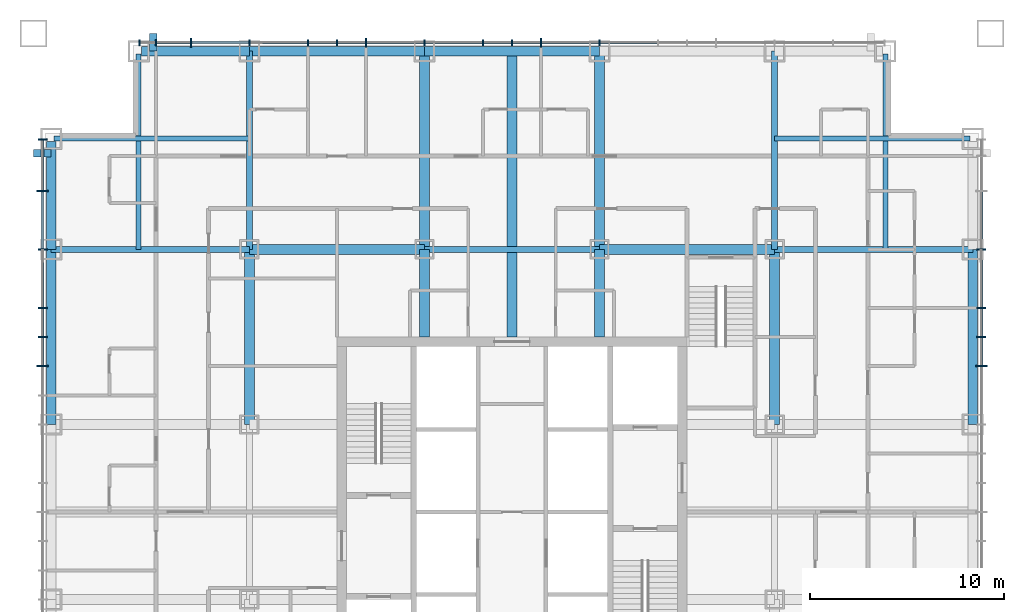
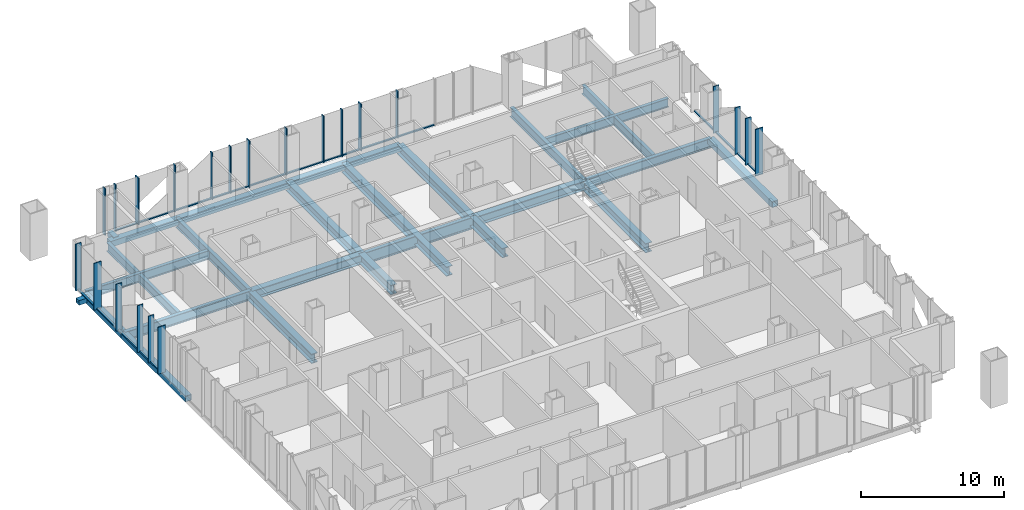
# One storey, part 5 of 16: 44 members, 24 beams, 3 elements without a shape of their own.
"""IFC4 building model written with IfcOpenShell, lengths in metres."""

from ifc_helpers import new_model, si_unit, direction, frame, origin, origin_2d, place, context, subcontext, project, spatial, rectangle, hollow_rectangle, i_section, extrude, material, layer, layer_set, material_profile, profile_set, type_object, element, aggregate, save


model = new_model("IFC4")

# Units and contexts
model_context = context("Model", 3, precision=1e-05, world=origin(), true_north=direction((0.0, 1.0)))
body_context = subcontext(model_context, "Body", "Model", "MODEL_VIEW")
ifc_project = project(units=[si_unit("LENGTHUNIT", "METRE"), si_unit("AREAUNIT", "SQUARE_METRE"), si_unit("VOLUMEUNIT", "CUBIC_METRE"), si_unit("PLANEANGLEUNIT", "RADIAN"), si_unit("MASSUNIT", "GRAM", prefix="KILO")], contexts=[model_context])

# Site, building, storey
site_placement = place(None, origin())
site = spatial("IfcSite", under=ifc_project, at=site_placement, CompositionType="ELEMENT")
building_placement = place(site_placement, origin())
building = spatial("IfcBuilding", under=site, at=building_placement, Name="Malebo Sky Hospital", CompositionType="ELEMENT")
storey_placement = place(building_placement, frame((0.0, 0.0, 144.0)))
storey = spatial("IfcBuildingStorey", under=building, at=storey_placement, Name="L34", CompositionType="ELEMENT", Elevation=144.0)

# Curtain wall, members
ifc_material_1 = material(Name="Anodised aluminium, natural silver", Category="aluminium")
ifc_layer_1 = layer(ifc_material_1, 0.25)
ifc_layer_set_1 = layer_set([ifc_layer_1], Name="WARD CURTAIN WALL NORTH AND SOUTH")
curtain_wall_type_1 = type_object("IfcCurtainWallType", Name="WARD CURTAIN WALL NORTH AND SOUTH", PredefinedType="NOTDEFINED", material=ifc_layer_set_1)
curtain_wall_1_placement = place(storey_placement, origin())
curtain_wall_1 = element("IfcCurtainWall", 1, at=curtain_wall_1_placement, inside=storey, type_object=curtain_wall_type_1, Name="NS curtain wall N", PredefinedType="NOTDEFINED")
ifc_material_profile_1 = material_profile(ifc_material_1, rectangle(XDim=0.14990234375, YDim=0.10009765625, at=origin_2d()), Name="ALUMINIUM TRANSOM 150x100")
ifc_profile_set_1 = profile_set([ifc_material_profile_1], Name="Anodised aluminium, natural silver")
member_type_1 = type_object("IfcMemberType", Name="ALUMINIUM TRANSOM 150x100", PredefinedType="USERDEFINED", material=ifc_profile_set_1)
member_1_placement = place(storey_placement, frame((41.737548828125, 86.135009765625, 0.050048828125), z_axis=(1.0, 0.0, 0.0), x_axis=(0.0, 1.0, 0.0)))
member_1 = element("IfcMember", 2, at=member_1_placement, type_object=member_type_1, Name="Transom 2", ObjectType="TRANSOM", PredefinedType="USERDEFINED", context=body_context, shape_type="SweptSolid", body=[
    extrude(rectangle(XDim=0.14990234375, YDim=0.10009765625, at=origin_2d()), origin(), (0.0, 0.0, 1.0), 1.724853515625),
])
member_2_placement = place(storey_placement, frame((43.53759765625, 86.135009765625, 0.050048828125), z_axis=(1.0, 0.0, 0.0), x_axis=(0.0, 1.0, 0.0)))
member_2 = element("IfcMember", 3, at=member_2_placement, type_object=member_type_1, Name="Transom 3", ObjectType="TRANSOM", PredefinedType="USERDEFINED", context=body_context, shape_type="SweptSolid", body=[
    extrude(rectangle(XDim=0.14990234375, YDim=0.10009765625, at=origin_2d()), origin(), (0.0, 0.0, 1.0), 2.9248046875),
])
member_3_placement = place(storey_placement, frame((46.53759765625, 86.135009765625, 0.050048828125), z_axis=(1.0, 0.0, 0.0), x_axis=(0.0, 1.0, 0.0)))
member_3 = element("IfcMember", 4, at=member_3_placement, type_object=member_type_1, Name="Transom 4", ObjectType="TRANSOM", PredefinedType="USERDEFINED", context=body_context, shape_type="SweptSolid", body=[
    extrude(rectangle(XDim=0.14990234375, YDim=0.10009765625, at=origin_2d()), origin(), (0.0, 0.0, 1.0), 2.9248046875),
])
member_4_placement = place(storey_placement, frame((49.53759765625, 86.135009765625, 0.050048828125), z_axis=(1.0, 0.0, 0.0), x_axis=(0.0, 1.0, 0.0)))
member_4 = element("IfcMember", 5, at=member_4_placement, type_object=member_type_1, Name="Transom 5", ObjectType="TRANSOM", PredefinedType="USERDEFINED", context=body_context, shape_type="SweptSolid", body=[
    extrude(rectangle(XDim=0.14990234375, YDim=0.10009765625, at=origin_2d()), origin(), (0.0, 0.0, 1.0), 1.4248046875),
])
member_5_placement = place(storey_placement, frame((51.03759765625, 86.135009765625, 0.050048828125), z_axis=(1.0, 0.0, 0.0), x_axis=(0.0, 1.0, 0.0)))
member_5 = element("IfcMember", 6, at=member_5_placement, type_object=member_type_1, Name="Transom 6", ObjectType="TRANSOM", PredefinedType="USERDEFINED", context=body_context, shape_type="SweptSolid", body=[
    extrude(rectangle(XDim=0.14990234375, YDim=0.10009765625, at=origin_2d()), origin(), (0.0, 0.0, 1.0), 1.4248046875),
])
member_6_placement = place(storey_placement, frame((52.53759765625, 86.135009765625, 0.050048828125), z_axis=(1.0, 0.0, 0.0), x_axis=(0.0, 1.0, 0.0)))
member_6 = element("IfcMember", 7, at=member_6_placement, type_object=member_type_1, Name="Transom 7", ObjectType="TRANSOM", PredefinedType="USERDEFINED", context=body_context, shape_type="SweptSolid", body=[
    extrude(rectangle(XDim=0.14990234375, YDim=0.10009765625, at=origin_2d()), origin(), (0.0, 0.0, 1.0), 2.9248046875),
])
member_7_placement = place(storey_placement, frame((55.53759765625, 86.135009765625, 0.050048828125), z_axis=(1.0, 0.0, 0.0), x_axis=(0.0, 1.0, 0.0)))
member_7 = element("IfcMember", 8, at=member_7_placement, type_object=member_type_1, Name="Transom 8", ObjectType="TRANSOM", PredefinedType="USERDEFINED", context=body_context, shape_type="SweptSolid", body=[
    extrude(rectangle(XDim=0.14990234375, YDim=0.10009765625, at=origin_2d()), origin(), (0.0, 0.0, 1.0), 2.9248046875),
])
member_8_placement = place(storey_placement, frame((58.53759765625, 86.135009765625, 0.050048828125), z_axis=(1.0, 0.0, 0.0), x_axis=(0.0, 1.0, 0.0)))
member_8 = element("IfcMember", 9, at=member_8_placement, type_object=member_type_1, Name="Transom 9", ObjectType="TRANSOM", PredefinedType="USERDEFINED", context=body_context, shape_type="SweptSolid", body=[
    extrude(rectangle(XDim=0.14990234375, YDim=0.10009765625, at=origin_2d()), origin(), (0.0, 0.0, 1.0), 1.4248046875),
])
member_9_placement = place(storey_placement, frame((60.03759765625, 86.135009765625, 0.050048828125), z_axis=(1.0, 0.0, 0.0), x_axis=(0.0, 1.0, 0.0)))
member_9 = element("IfcMember", 10, at=member_9_placement, type_object=member_type_1, Name="Transom 10", ObjectType="TRANSOM", PredefinedType="USERDEFINED", context=body_context, shape_type="SweptSolid", body=[
    extrude(rectangle(XDim=0.14990234375, YDim=0.10009765625, at=origin_2d()), origin(), (0.0, 0.0, 1.0), 1.4248046875),
])
member_10_placement = place(storey_placement, frame((61.53759765625, 86.135009765625, 0.050048828125), z_axis=(1.0, 0.0, 0.0), x_axis=(0.0, 1.0, 0.0)))
member_10 = element("IfcMember", 11, at=member_10_placement, type_object=member_type_1, Name="Transom 11", ObjectType="TRANSOM", PredefinedType="USERDEFINED", context=body_context, shape_type="SweptSolid", body=[
    extrude(rectangle(XDim=0.14990234375, YDim=0.10009765625, at=origin_2d()), origin(), (0.0, 0.0, 1.0), 2.9248046875),
])
member_11_placement = place(storey_placement, frame((64.53759765625, 86.135009765625, 0.050048828125), z_axis=(1.0, 0.0, 0.0), x_axis=(0.0, 1.0, 0.0)))
member_11 = element("IfcMember", 12, at=member_11_placement, type_object=member_type_1, Name="Transom 12", ObjectType="TRANSOM", PredefinedType="USERDEFINED", context=body_context, shape_type="SweptSolid", body=[
    extrude(rectangle(XDim=0.14990234375, YDim=0.10009765625, at=origin_2d()), origin(), (0.0, 0.0, 1.0), 2.9248046875),
])

ifc_layer_2 = layer(ifc_material_1, 0.25)
ifc_layer_set_2 = layer_set([ifc_layer_2], Name="WARD CURTAIN WALL EAST AND WEST")
curtain_wall_type_2 = type_object("IfcCurtainWallType", Name="WARD CURTAIN WALL EAST AND WEST", PredefinedType="NOTDEFINED", material=ifc_layer_set_2)
curtain_wall_2_placement = place(storey_placement, origin())
curtain_wall_2 = element("IfcCurtainWall", 13, at=curtain_wall_2_placement, inside=storey, type_object=curtain_wall_type_2, Name="EW curtain wall W", PredefinedType="NOTDEFINED")
member_12_placement = place(storey_placement, frame((35.864990234375, 69.53759765625, 0.050048828125), z_axis=(0.0, 1.0, 0.0), x_axis=(-1.0, 0.0, 0.0)))
member_12 = element("IfcMember", 14, at=member_12_placement, type_object=member_type_1, Name="Transom 15", ObjectType="TRANSOM", PredefinedType="USERDEFINED", context=body_context, shape_type="SweptSolid", body=[
    extrude(rectangle(XDim=0.14990234375, YDim=0.10009765625, at=origin_2d()), origin(), (0.0, 0.0, 1.0), 1.4248046875),
])
member_13_placement = place(storey_placement, frame((35.864990234375, 71.03759765625, 0.050048828125), z_axis=(0.0, 1.0, 0.0), x_axis=(-1.0, 0.0, 0.0)))
member_13 = element("IfcMember", 15, at=member_13_placement, type_object=member_type_1, Name="Transom 16", ObjectType="TRANSOM", PredefinedType="USERDEFINED", context=body_context, shape_type="SweptSolid", body=[
    extrude(rectangle(XDim=0.14990234375, YDim=0.10009765625, at=origin_2d()), origin(), (0.0, 0.0, 1.0), 1.4248046875),
])
member_14_placement = place(storey_placement, frame((35.864990234375, 72.53759765625, 0.050048828125), z_axis=(0.0, 1.0, 0.0), x_axis=(-1.0, 0.0, 0.0)))
member_14 = element("IfcMember", 16, at=member_14_placement, type_object=member_type_1, Name="Transom 17", ObjectType="TRANSOM", PredefinedType="USERDEFINED", context=body_context, shape_type="SweptSolid", body=[
    extrude(rectangle(XDim=0.14990234375, YDim=0.10009765625, at=origin_2d()), origin(), (0.0, 0.0, 1.0), 2.9248046875),
])
member_15_placement = place(storey_placement, frame((35.864990234375, 75.53759765625, 0.050048828125), z_axis=(0.0, 1.0, 0.0), x_axis=(-1.0, 0.0, 0.0)))
member_15 = element("IfcMember", 17, at=member_15_placement, type_object=member_type_1, Name="Transom 18", ObjectType="TRANSOM", PredefinedType="USERDEFINED", context=body_context, shape_type="SweptSolid", body=[
    extrude(rectangle(XDim=0.14990234375, YDim=0.10009765625, at=origin_2d()), origin(), (0.0, 0.0, 1.0), 2.9248046875),
])
member_16_placement = place(storey_placement, frame((35.864990234375, 78.53759765625, 0.050048828125), z_axis=(0.0, 1.0, 0.0), x_axis=(-1.0, 0.0, 0.0)))
member_16 = element("IfcMember", 18, at=member_16_placement, type_object=member_type_1, Name="Transom 19", ObjectType="TRANSOM", PredefinedType="USERDEFINED", context=body_context, shape_type="SweptSolid", body=[
    extrude(rectangle(XDim=0.14990234375, YDim=0.10009765625, at=origin_2d()), origin(), (0.0, 0.0, 1.0), 2.58740234375),
])

curtain_wall_3_placement = place(storey_placement, origin())
curtain_wall_3 = element("IfcCurtainWall", 19, at=curtain_wall_3_placement, inside=storey, type_object=curtain_wall_type_2, Name="EW curtain wall E", PredefinedType="NOTDEFINED")
member_17_placement = place(storey_placement, frame((84.135009765625, 78.46240234375, 0.050048828125), z_axis=(0.0, -1.0, 0.0), x_axis=(1.0, 0.0, 0.0)))
member_17 = element("IfcMember", 20, at=member_17_placement, type_object=member_type_1, Name="Transom 3", ObjectType="TRANSOM", PredefinedType="USERDEFINED", context=body_context, shape_type="SweptSolid", body=[
    extrude(rectangle(XDim=0.14990234375, YDim=0.10009765625, at=origin_2d()), origin(), (0.0, 0.0, 1.0), 2.9248046875),
])
member_18_placement = place(storey_placement, frame((84.135009765625, 75.46240234375, 0.050048828125), z_axis=(0.0, -1.0, 0.0), x_axis=(1.0, 0.0, 0.0)))
member_18 = element("IfcMember", 21, at=member_18_placement, type_object=member_type_1, Name="Transom 4", ObjectType="TRANSOM", PredefinedType="USERDEFINED", context=body_context, shape_type="SweptSolid", body=[
    extrude(rectangle(XDim=0.14990234375, YDim=0.10009765625, at=origin_2d()), origin(), (0.0, 0.0, 1.0), 2.9248046875),
])
member_19_placement = place(storey_placement, frame((84.135009765625, 72.46240234375, 0.050048828125), z_axis=(0.0, -1.0, 0.0), x_axis=(1.0, 0.0, 0.0)))
member_19 = element("IfcMember", 22, at=member_19_placement, type_object=member_type_1, Name="Transom 5", ObjectType="TRANSOM", PredefinedType="USERDEFINED", context=body_context, shape_type="SweptSolid", body=[
    extrude(rectangle(XDim=0.14990234375, YDim=0.10009765625, at=origin_2d()), origin(), (0.0, 0.0, 1.0), 1.4248046875),
])
member_20_placement = place(storey_placement, frame((84.135009765625, 70.96240234375, 0.050048828125), z_axis=(0.0, -1.0, 0.0), x_axis=(1.0, 0.0, 0.0)))
member_20 = element("IfcMember", 23, at=member_20_placement, type_object=member_type_1, Name="Transom 6", ObjectType="TRANSOM", PredefinedType="USERDEFINED", context=body_context, shape_type="SweptSolid", body=[
    extrude(rectangle(XDim=0.14990234375, YDim=0.10009765625, at=origin_2d()), origin(), (0.0, 0.0, 1.0), 1.4248046875),
])

# Members
ifc_material_2 = material(Name="Steel S355", Category="steel")
ifc_material_profile_2 = material_profile(ifc_material_2, hollow_rectangle(XDim=0.39990234375, YDim=0.39990234375, WallThickness=0.02001953125, at=origin_2d()), Name="SHS 400x20")
ifc_profile_set_2 = profile_set([ifc_material_profile_2], Name="Steel S355")
member_type_2 = type_object("IfcMemberType", Name="BRACE STRUT SHS 400x20", PredefinedType="STRUT", material=ifc_profile_set_2)
for number, where, z_axis, x_axis, name in (
    (24, (41.550048828125, 86.60009765625, -0.39990234375), (0.0, -1.0, 0.0), (1.0, 0.0, 0.0), "Brace strut BN2 L34"),
    (25, (35.39990234375, 80.449951171875, -0.39990234375), (1.0, 0.0, 0.0), (0.0, 1.0, 0.0), "Brace strut BW1 L34"),
):
    element("IfcMember", number, at=place(storey_placement, frame(where, z_axis=z_axis, x_axis=x_axis)), inside=storey, type_object=member_type_2, Name=name, PredefinedType="STRUT", context=body_context, shape_type="SweptSolid", body=[
        extrude(hollow_rectangle(XDim=0.39990234375, YDim=0.39990234375, WallThickness=0.02001953125, at=origin_2d()), origin(), (0.0, 0.0, 1.0), 0.900146484375),
    ])

# Member
ifc_material_profile_3 = material_profile(ifc_material_1, rectangle(XDim=0.074951171875, YDim=0.300048828125, at=origin_2d()), Name="CW1 ALUMINIUM FIN MULLION 75x300")
ifc_profile_set_3 = profile_set([ifc_material_profile_3], Name="Anodised aluminium, natural silver")
member_type_3 = type_object("IfcMemberType", Name="CW1 ALUMINIUM FIN MULLION 75x300", PredefinedType="MULLION", material=ifc_profile_set_3)
member_21_placement = place(storey_placement, frame((40.83740234375, 86.135009765625, 0.0), z_axis=(0.0, 0.0, 1.0), x_axis=(1.0, 0.0, 0.0)))
member_21 = element("IfcMember", 26, at=member_21_placement, type_object=member_type_3, Name="Fin mullion 1", PredefinedType="MULLION", context=body_context, shape_type="SweptSolid", body=[
    extrude(rectangle(XDim=0.074951171875, YDim=0.300048828125, at=origin_2d()), origin(), (0.0, 0.0, 1.0), 4.0),
])

member_22_placement = place(storey_placement, frame((41.699951171875, 86.135009765625, 0.0), z_axis=(0.0, 0.0, 1.0), x_axis=(1.0, 0.0, 0.0)))
member_22 = element("IfcMember", 27, at=member_22_placement, type_object=member_type_3, Name="Fin mullion 2", PredefinedType="MULLION", context=body_context, shape_type="SweptSolid", body=[
    extrude(rectangle(XDim=0.074951171875, YDim=0.300048828125, at=origin_2d()), origin(), (0.0, 0.0, 1.0), 4.0),
])

member_23_placement = place(storey_placement, frame((46.5, 86.135009765625, 0.0), z_axis=(0.0, 0.0, 1.0), x_axis=(1.0, 0.0, 0.0)))
member_23 = element("IfcMember", 28, at=member_23_placement, type_object=member_type_3, Name="Fin mullion 4", PredefinedType="MULLION", context=body_context, shape_type="SweptSolid", body=[
    extrude(rectangle(XDim=0.074951171875, YDim=0.300048828125, at=origin_2d()), origin(), (0.0, 0.0, 1.0), 4.0),
])

member_24_placement = place(storey_placement, frame((49.5, 86.135009765625, 0.0), z_axis=(0.0, 0.0, 1.0), x_axis=(1.0, 0.0, 0.0)))
member_24 = element("IfcMember", 29, at=member_24_placement, type_object=member_type_3, Name="Fin mullion 5", PredefinedType="MULLION", context=body_context, shape_type="SweptSolid", body=[
    extrude(rectangle(XDim=0.074951171875, YDim=0.300048828125, at=origin_2d()), origin(), (0.0, 0.0, 1.0), 4.0),
])

member_25_placement = place(storey_placement, frame((51.0, 86.135009765625, 0.0), z_axis=(0.0, 0.0, 1.0), x_axis=(1.0, 0.0, 0.0)))
member_25 = element("IfcMember", 30, at=member_25_placement, type_object=member_type_3, Name="Fin mullion 6", PredefinedType="MULLION", context=body_context, shape_type="SweptSolid", body=[
    extrude(rectangle(XDim=0.074951171875, YDim=0.300048828125, at=origin_2d()), origin(), (0.0, 0.0, 1.0), 4.0),
])

member_26_placement = place(storey_placement, frame((55.5, 86.135009765625, 0.0), z_axis=(0.0, 0.0, 1.0), x_axis=(1.0, 0.0, 0.0)))
member_26 = element("IfcMember", 31, at=member_26_placement, type_object=member_type_3, Name="Fin mullion 8", PredefinedType="MULLION", context=body_context, shape_type="SweptSolid", body=[
    extrude(rectangle(XDim=0.074951171875, YDim=0.300048828125, at=origin_2d()), origin(), (0.0, 0.0, 1.0), 4.0),
])

member_27_placement = place(storey_placement, frame((58.5, 86.135009765625, 0.0), z_axis=(0.0, 0.0, 1.0), x_axis=(1.0, 0.0, 0.0)))
member_27 = element("IfcMember", 32, at=member_27_placement, type_object=member_type_3, Name="Fin mullion 9", PredefinedType="MULLION", context=body_context, shape_type="SweptSolid", body=[
    extrude(rectangle(XDim=0.074951171875, YDim=0.300048828125, at=origin_2d()), origin(), (0.0, 0.0, 1.0), 4.0),
])

member_28_placement = place(storey_placement, frame((60.0, 86.135009765625, 0.0), z_axis=(0.0, 0.0, 1.0), x_axis=(1.0, 0.0, 0.0)))
member_28 = element("IfcMember", 33, at=member_28_placement, type_object=member_type_3, Name="Fin mullion 10", PredefinedType="MULLION", context=body_context, shape_type="SweptSolid", body=[
    extrude(rectangle(XDim=0.074951171875, YDim=0.300048828125, at=origin_2d()), origin(), (0.0, 0.0, 1.0), 4.0),
])

member_29_placement = place(storey_placement, frame((64.5, 86.135009765625, 0.0), z_axis=(0.0, 0.0, 1.0), x_axis=(1.0, 0.0, 0.0)))
member_29 = element("IfcMember", 34, at=member_29_placement, type_object=member_type_3, Name="Fin mullion 12", PredefinedType="MULLION", context=body_context, shape_type="SweptSolid", body=[
    extrude(rectangle(XDim=0.074951171875, YDim=0.300048828125, at=origin_2d()), origin(), (0.0, 0.0, 1.0), 4.0),
])

ifc_material_profile_4 = material_profile(ifc_material_1, rectangle(XDim=0.074951171875, YDim=0.449951171875, at=origin_2d()), Name="CW1 ALUMINIUM FIN MULLION 75x450")
ifc_profile_set_4 = profile_set([ifc_material_profile_4], Name="Anodised aluminium, natural silver")
member_type_4 = type_object("IfcMemberType", Name="CW1 ALUMINIUM FIN MULLION 75x450", PredefinedType="MULLION", material=ifc_profile_set_4)
member_30_placement = place(storey_placement, frame((43.5, 86.135009765625, 0.0), z_axis=(0.0, 0.0, 1.0), x_axis=(1.0, 0.0, 0.0)))
member_30 = element("IfcMember", 35, at=member_30_placement, type_object=member_type_4, Name="Fin mullion 3", PredefinedType="MULLION", context=body_context, shape_type="SweptSolid", body=[
    extrude(rectangle(XDim=0.074951171875, YDim=0.449951171875, at=origin_2d()), origin(), (0.0, 0.0, 1.0), 4.0),
])

member_31_placement = place(storey_placement, frame((52.5, 86.135009765625, 0.0), z_axis=(0.0, 0.0, 1.0), x_axis=(1.0, 0.0, 0.0)))
member_31 = element("IfcMember", 36, at=member_31_placement, type_object=member_type_4, Name="Fin mullion 7", PredefinedType="MULLION", context=body_context, shape_type="SweptSolid", body=[
    extrude(rectangle(XDim=0.074951171875, YDim=0.449951171875, at=origin_2d()), origin(), (0.0, 0.0, 1.0), 4.0),
])

member_32_placement = place(storey_placement, frame((61.5, 86.135009765625, 0.0), z_axis=(0.0, 0.0, 1.0), x_axis=(1.0, 0.0, 0.0)))
member_32 = element("IfcMember", 37, at=member_32_placement, type_object=member_type_4, Name="Fin mullion 11", PredefinedType="MULLION", context=body_context, shape_type="SweptSolid", body=[
    extrude(rectangle(XDim=0.074951171875, YDim=0.449951171875, at=origin_2d()), origin(), (0.0, 0.0, 1.0), 4.0),
])

aggregate(curtain_wall_1, [member_21, member_22, member_30, member_23, member_24, member_25, member_31, member_26, member_27, member_28, member_32, member_29, member_1, member_2, member_3, member_4, member_5, member_6, member_7, member_8, member_9, member_10, member_11])

ifc_material_profile_5 = material_profile(ifc_material_1, rectangle(XDim=0.074951171875, YDim=0.449951171875, at=origin_2d()), Name="CW2 ALUMINIUM FIN MULLION 75x450")
ifc_profile_set_5 = profile_set([ifc_material_profile_5], Name="Anodised aluminium, natural silver")
member_type_5 = type_object("IfcMemberType", Name="CW2 ALUMINIUM FIN MULLION 75x450", PredefinedType="MULLION", material=ifc_profile_set_5)
member_33_placement = place(storey_placement, frame((35.864990234375, 71.0, 0.0), z_axis=(0.0, 0.0, 1.0), x_axis=(0.0, 1.0, 0.0)))
member_33 = element("IfcMember", 38, at=member_33_placement, type_object=member_type_5, Name="Fin mullion 16", PredefinedType="MULLION", context=body_context, shape_type="SweptSolid", body=[
    extrude(rectangle(XDim=0.074951171875, YDim=0.449951171875, at=origin_2d()), origin(), (0.0, 0.0, 1.0), 4.0),
])

member_34_placement = place(storey_placement, frame((35.864990234375, 72.5, 0.0), z_axis=(0.0, 0.0, 1.0), x_axis=(0.0, 1.0, 0.0)))
member_34 = element("IfcMember", 39, at=member_34_placement, type_object=member_type_5, Name="Fin mullion 17", PredefinedType="MULLION", context=body_context, shape_type="SweptSolid", body=[
    extrude(rectangle(XDim=0.074951171875, YDim=0.449951171875, at=origin_2d()), origin(), (0.0, 0.0, 1.0), 4.0),
])

member_35_placement = place(storey_placement, frame((35.864990234375, 75.5, 0.0), z_axis=(0.0, 0.0, 1.0), x_axis=(0.0, 1.0, 0.0)))
member_35 = element("IfcMember", 40, at=member_35_placement, type_object=member_type_5, Name="Fin mullion 18", PredefinedType="MULLION", context=body_context, shape_type="SweptSolid", body=[
    extrude(rectangle(XDim=0.074951171875, YDim=0.449951171875, at=origin_2d()), origin(), (0.0, 0.0, 1.0), 4.0),
])

member_36_placement = place(storey_placement, frame((35.864990234375, 81.16259765625, 0.0), z_axis=(0.0, 0.0, 1.0), x_axis=(0.0, 1.0, 0.0)))
member_36 = element("IfcMember", 41, at=member_36_placement, type_object=member_type_5, Name="Fin mullion 20", PredefinedType="MULLION", context=body_context, shape_type="SweptSolid", body=[
    extrude(rectangle(XDim=0.074951171875, YDim=0.449951171875, at=origin_2d()), origin(), (0.0, 0.0, 1.0), 4.0),
])

member_37_placement = place(storey_placement, frame((84.135009765625, 75.5, 0.0), z_axis=(0.0, 0.0, 1.0), x_axis=(0.0, -1.0, 0.0)))
member_37 = element("IfcMember", 42, at=member_37_placement, type_object=member_type_5, Name="Fin mullion 4", PredefinedType="MULLION", context=body_context, shape_type="SweptSolid", body=[
    extrude(rectangle(XDim=0.074951171875, YDim=0.449951171875, at=origin_2d()), origin(), (0.0, 0.0, 1.0), 4.0),
])

member_38_placement = place(storey_placement, frame((84.135009765625, 72.5, 0.0), z_axis=(0.0, 0.0, 1.0), x_axis=(0.0, -1.0, 0.0)))
member_38 = element("IfcMember", 43, at=member_38_placement, type_object=member_type_5, Name="Fin mullion 5", PredefinedType="MULLION", context=body_context, shape_type="SweptSolid", body=[
    extrude(rectangle(XDim=0.074951171875, YDim=0.449951171875, at=origin_2d()), origin(), (0.0, 0.0, 1.0), 4.0),
])

member_39_placement = place(storey_placement, frame((84.135009765625, 71.0, 0.0), z_axis=(0.0, 0.0, 1.0), x_axis=(0.0, -1.0, 0.0)))
member_39 = element("IfcMember", 44, at=member_39_placement, type_object=member_type_5, Name="Fin mullion 6", PredefinedType="MULLION", context=body_context, shape_type="SweptSolid", body=[
    extrude(rectangle(XDim=0.074951171875, YDim=0.449951171875, at=origin_2d()), origin(), (0.0, 0.0, 1.0), 4.0),
])

ifc_material_profile_6 = material_profile(ifc_material_1, rectangle(XDim=0.074951171875, YDim=0.60009765625, at=origin_2d()), Name="CW2 ALUMINIUM FIN MULLION 75x600")
ifc_profile_set_6 = profile_set([ifc_material_profile_6], Name="Anodised aluminium, natural silver")
member_type_6 = type_object("IfcMemberType", Name="CW2 ALUMINIUM FIN MULLION 75x600", PredefinedType="MULLION", material=ifc_profile_set_6)
member_40_placement = place(storey_placement, frame((35.864990234375, 69.5, 0.0), z_axis=(0.0, 0.0, 1.0), x_axis=(0.0, 1.0, 0.0)))
member_40 = element("IfcMember", 45, at=member_40_placement, type_object=member_type_6, Name="Fin mullion 15", PredefinedType="MULLION", context=body_context, shape_type="SweptSolid", body=[
    extrude(rectangle(XDim=0.074951171875, YDim=0.60009765625, at=origin_2d()), origin(), (0.0, 0.0, 1.0), 4.0),
])

member_41_placement = place(storey_placement, frame((35.864990234375, 78.5, 0.0), z_axis=(0.0, 0.0, 1.0), x_axis=(0.0, 1.0, 0.0)))
member_41 = element("IfcMember", 46, at=member_41_placement, type_object=member_type_6, Name="Fin mullion 19", PredefinedType="MULLION", context=body_context, shape_type="SweptSolid", body=[
    extrude(rectangle(XDim=0.074951171875, YDim=0.60009765625, at=origin_2d()), origin(), (0.0, 0.0, 1.0), 4.0),
])

aggregate(curtain_wall_2, [member_40, member_33, member_34, member_35, member_41, member_36, member_12, member_13, member_14, member_15, member_16])

member_42_placement = place(storey_placement, frame((84.135009765625, 69.5, 0.0), z_axis=(0.0, 0.0, 1.0), x_axis=(0.0, -1.0, 0.0)))
member_42 = element("IfcMember", 47, at=member_42_placement, type_object=member_type_6, Name="Fin mullion 7", PredefinedType="MULLION", context=body_context, shape_type="SweptSolid", body=[
    extrude(rectangle(XDim=0.074951171875, YDim=0.60009765625, at=origin_2d()), origin(), (0.0, 0.0, 1.0), 4.0),
])

aggregate(curtain_wall_3, [member_37, member_38, member_39, member_42, member_17, member_18, member_19, member_20])

# Beams
ifc_material_3 = material(Name="Steel S460", Category="steel")
ifc_material_profile_7 = material_profile(ifc_material_3, hollow_rectangle(XDim=0.5, YDim=0.5, WallThickness=0.030029296875, at=origin_2d()), Name="BOX 500x500x30")
ifc_profile_set_7 = profile_set([ifc_material_profile_7], Name="Steel S460")
beam_type_1 = type_object("IfcBeamType", Name="EDGE BEAM BOX 500x500x30", PredefinedType="BEAM", material=ifc_profile_set_7)
beam_1_placement = place(storey_placement, frame((36.300048828125, 66.5, -0.5), z_axis=(0.0, 1.0, 0.0), x_axis=(-1.0, 0.0, 0.0)))
element("IfcBeam", 48, at=beam_1_placement, inside=storey, type_object=beam_type_1, Name="Beam 003 L34", PredefinedType="BEAM", context=body_context, shape_type="SweptSolid", body=[
    extrude(hollow_rectangle(XDim=0.5, YDim=0.5, WallThickness=0.030029296875, at=origin_2d()), origin(), (0.0, 0.0, 1.0), 9.0),
])
beam_2_placement = place(storey_placement, frame((36.300048828125, 75.5, -0.5), z_axis=(0.0, 1.0, 0.0), x_axis=(-1.0, 0.0, 0.0)))
element("IfcBeam", 49, at=beam_2_placement, inside=storey, type_object=beam_type_1, Name="Beam 004 L34", PredefinedType="BEAM", context=body_context, shape_type="SweptSolid", body=[
    extrude(hollow_rectangle(XDim=0.5, YDim=0.5, WallThickness=0.030029296875, at=origin_2d()), origin(), (0.0, 0.0, 1.0), 5.550048828125),
])
beam_3_placement = place(storey_placement, frame((83.699951171875, 66.5, -0.5), z_axis=(0.0, 1.0, 0.0), x_axis=(-1.0, 0.0, 0.0)))
element("IfcBeam", 50, at=beam_3_placement, inside=storey, type_object=beam_type_1, Name="Beam 032 L34", PredefinedType="BEAM", context=body_context, shape_type="SweptSolid", body=[
    extrude(hollow_rectangle(XDim=0.5, YDim=0.5, WallThickness=0.030029296875, at=origin_2d()), origin(), (0.0, 0.0, 1.0), 9.0),
])
beam_4_placement = place(storey_placement, frame((40.949951171875, 85.699951171875, -0.5), z_axis=(1.0, 0.0, 0.0), x_axis=(0.0, 1.0, 0.0)))
element("IfcBeam", 51, at=beam_4_placement, inside=storey, type_object=beam_type_1, Name="Beam 063 L34", PredefinedType="BEAM", context=body_context, shape_type="SweptSolid", body=[
    extrude(hollow_rectangle(XDim=0.5, YDim=0.5, WallThickness=0.030029296875, at=origin_2d()), origin(), (0.0, 0.0, 1.0), 5.550048828125),
])
for number, where, z_axis, x_axis, name in (
    (52, (46.5, 85.699951171875, -0.5), (1.0, 0.0, 0.0), (0.0, 1.0, 0.0), "Beam 064 L34"),
    (53, (55.5, 85.699951171875, -0.5), (1.0, 0.0, 0.0), (0.0, 1.0, 0.0), "Beam 065 L34"),
):
    element("IfcBeam", number, at=place(storey_placement, frame(where, z_axis=z_axis, x_axis=x_axis)), inside=storey, type_object=beam_type_1, Name=name, PredefinedType="BEAM", context=body_context, shape_type="SweptSolid", body=[
        extrude(hollow_rectangle(XDim=0.5, YDim=0.5, WallThickness=0.030029296875, at=origin_2d()), origin(), (0.0, 0.0, 1.0), 9.0),
    ])
ifc_material_profile_8 = material_profile(ifc_material_2, i_section(OverallWidth=0.262939453125, OverallDepth=0.7529296875, WebThickness=0.011474609375, FlangeThickness=0.01708984375, FilletRadius=0.01708984375, at=origin_2d()), Name="IPE 750x137")
ifc_profile_set_8 = profile_set([ifc_material_profile_8], Name="Steel S355")
beam_type_2 = type_object("IfcBeamType", Name="FLOOR BEAM IPE 750x137", PredefinedType="BEAM", material=ifc_profile_set_8)
for number, where, z_axis, x_axis, name in (
    (54, (40.800048828125, 75.5, -0.62646484375), (0.0, 1.0, 0.0), (-1.0, 0.0, 0.0), "Beam 006 L34"),
    (55, (79.199951171875, 75.5, -0.62646484375), (0.0, 1.0, 0.0), (-1.0, 0.0, 0.0), "Beam 028 L34"),
    (56, (36.449951171875, 81.199951171875, -0.62646484375), (1.0, 0.0, 0.0), (0.0, 1.0, 0.0), "Beam 061 L34"),
    (57, (73.5, 81.199951171875, -0.62646484375), (1.0, 0.0, 0.0), (0.0, 1.0, 0.0), "Beam 062 L34"),
):
    element("IfcBeam", number, at=place(storey_placement, frame(where, z_axis=z_axis, x_axis=x_axis)), inside=storey, type_object=beam_type_2, Name=name, PredefinedType="BEAM", context=body_context, shape_type="SweptSolid", body=[
        extrude(i_section(OverallWidth=0.262939453125, OverallDepth=0.7529296875, WebThickness=0.011474609375, FlangeThickness=0.01708984375, FilletRadius=0.01708984375, at=origin_2d()), origin(), (0.0, 0.0, 1.0), 10.050048828125),
    ])
ifc_material_profile_9 = material_profile(ifc_material_2, i_section(OverallWidth=0.5, OverallDepth=0.800048828125, WebThickness=0.030029296875, FlangeThickness=0.050048828125, at=origin_2d()), Name="PG 800x500x30x50")
ifc_profile_set_9 = profile_set([ifc_material_profile_9], Name="Steel S355")
beam_type_3 = type_object("IfcBeamType", Name="FLOOR BEAM PG 800x500x30x50", PredefinedType="BEAM", material=ifc_profile_set_9)
beam_5_placement = place(storey_placement, frame((46.5, 66.5, -0.64990234375), z_axis=(0.0, 1.0, 0.0), x_axis=(-1.0, 0.0, 0.0)))
element("IfcBeam", 58, at=beam_5_placement, inside=storey, type_object=beam_type_3, Name="Beam 010 L34", PredefinedType="BEAM", context=body_context, shape_type="SweptSolid", body=[
    extrude(i_section(OverallWidth=0.5, OverallDepth=0.800048828125, WebThickness=0.030029296875, FlangeThickness=0.050048828125, at=origin_2d()), origin(), (0.0, 0.0, 1.0), 9.0),
])
beam_6_placement = place(storey_placement, frame((55.5, 71.0, -0.64990234375), z_axis=(0.0, 1.0, 0.0), x_axis=(-1.0, 0.0, 0.0)))
element("IfcBeam", 59, at=beam_6_placement, inside=storey, type_object=beam_type_3, Name="Beam 014 L34", PredefinedType="BEAM", context=body_context, shape_type="SweptSolid", body=[
    extrude(i_section(OverallWidth=0.5, OverallDepth=0.800048828125, WebThickness=0.030029296875, FlangeThickness=0.050048828125, at=origin_2d()), origin(), (0.0, 0.0, 1.0), 4.5),
])
beam_7_placement = place(storey_placement, frame((55.5, 75.5, -0.64990234375), z_axis=(0.0, 1.0, 0.0), x_axis=(-1.0, 0.0, 0.0)))
element("IfcBeam", 60, at=beam_7_placement, inside=storey, type_object=beam_type_3, Name="Beam 015 L34", PredefinedType="BEAM", context=body_context, shape_type="SweptSolid", body=[
    extrude(i_section(OverallWidth=0.5, OverallDepth=0.800048828125, WebThickness=0.030029296875, FlangeThickness=0.050048828125, at=origin_2d()), origin(), (0.0, 0.0, 1.0), 10.199951171875),
])
beam_8_placement = place(storey_placement, frame((60.0, 71.0, -0.64990234375), z_axis=(0.0, 1.0, 0.0), x_axis=(-1.0, 0.0, 0.0)))
element("IfcBeam", 61, at=beam_8_placement, inside=storey, type_object=beam_type_3, Name="Beam 017 L34", PredefinedType="BEAM", context=body_context, shape_type="SweptSolid", body=[
    extrude(i_section(OverallWidth=0.5, OverallDepth=0.800048828125, WebThickness=0.030029296875, FlangeThickness=0.050048828125, at=origin_2d()), origin(), (0.0, 0.0, 1.0), 14.699951171875),
])
beam_9_placement = place(storey_placement, frame((64.5, 71.0, -0.64990234375), z_axis=(0.0, 1.0, 0.0), x_axis=(-1.0, 0.0, 0.0)))
element("IfcBeam", 62, at=beam_9_placement, inside=storey, type_object=beam_type_3, Name="Beam 020 L34", PredefinedType="BEAM", context=body_context, shape_type="SweptSolid", body=[
    extrude(i_section(OverallWidth=0.5, OverallDepth=0.800048828125, WebThickness=0.030029296875, FlangeThickness=0.050048828125, at=origin_2d()), origin(), (0.0, 0.0, 1.0), 4.5),
])
beam_10_placement = place(storey_placement, frame((64.5, 75.5, -0.64990234375), z_axis=(0.0, 1.0, 0.0), x_axis=(-1.0, 0.0, 0.0)))
element("IfcBeam", 63, at=beam_10_placement, inside=storey, type_object=beam_type_3, Name="Beam 021 L34", PredefinedType="BEAM", context=body_context, shape_type="SweptSolid", body=[
    extrude(i_section(OverallWidth=0.5, OverallDepth=0.800048828125, WebThickness=0.030029296875, FlangeThickness=0.050048828125, at=origin_2d()), origin(), (0.0, 0.0, 1.0), 10.199951171875),
])
for number, where, z_axis, x_axis, name in (
    (64, (73.5, 66.5, -0.64990234375), (0.0, 1.0, 0.0), (-1.0, 0.0, 0.0), "Beam 025 L34"),
    (65, (46.5, 75.5, -0.64990234375), (1.0, 0.0, 0.0), (0.0, 1.0, 0.0), "Beam 057 L34"),
    (66, (64.5, 75.5, -0.64990234375), (1.0, 0.0, 0.0), (0.0, 1.0, 0.0), "Beam 059 L34"),
):
    element("IfcBeam", number, at=place(storey_placement, frame(where, z_axis=z_axis, x_axis=x_axis)), inside=storey, type_object=beam_type_3, Name=name, PredefinedType="BEAM", context=body_context, shape_type="SweptSolid", body=[
        extrude(i_section(OverallWidth=0.5, OverallDepth=0.800048828125, WebThickness=0.030029296875, FlangeThickness=0.050048828125, at=origin_2d()), origin(), (0.0, 0.0, 1.0), 9.0),
    ])
ifc_material_profile_10 = material_profile(ifc_material_2, i_section(OverallWidth=0.300048828125, OverallDepth=0.800048828125, WebThickness=0.017578125, FlangeThickness=0.032958984375, FilletRadius=0.030029296875, at=origin_2d()), Name="HEB 800")
ifc_profile_set_10 = profile_set([ifc_material_profile_10], Name="Steel S355")
beam_type_4 = type_object("IfcBeamType", Name="FLOOR GIRDER HEB 800", PredefinedType="BEAM", material=ifc_profile_set_10)
for number, where, z_axis, x_axis, name in (
    (67, (46.5, 75.5, -0.64990234375), (0.0, 1.0, 0.0), (-1.0, 0.0, 0.0), "Beam 011 L34"),
    (68, (73.5, 75.5, -0.64990234375), (0.0, 1.0, 0.0), (-1.0, 0.0, 0.0), "Beam 026 L34"),
    (69, (36.300048828125, 75.5, -0.64990234375), (1.0, 0.0, 0.0), (0.0, 1.0, 0.0), "Beam 056 L34"),
    (70, (73.5, 75.5, -0.64990234375), (1.0, 0.0, 0.0), (0.0, 1.0, 0.0), "Beam 060 L34"),
):
    element("IfcBeam", number, at=place(storey_placement, frame(where, z_axis=z_axis, x_axis=x_axis)), inside=storey, type_object=beam_type_4, Name=name, PredefinedType="BEAM", context=body_context, shape_type="SweptSolid", body=[
        extrude(i_section(OverallWidth=0.300048828125, OverallDepth=0.800048828125, WebThickness=0.017578125, FlangeThickness=0.032958984375, FilletRadius=0.030029296875, at=origin_2d()), origin(), (0.0, 0.0, 1.0), 10.199951171875),
    ])
ifc_material_profile_11 = material_profile(ifc_material_2, i_section(OverallWidth=0.300048828125, OverallDepth=1.0, WebThickness=0.01904296875, FlangeThickness=0.035888671875, FilletRadius=0.030029296875, at=origin_2d()), Name="HEB 1000")
ifc_profile_set_11 = profile_set([ifc_material_profile_11], Name="Steel S355")
beam_type_5 = type_object("IfcBeamType", Name="RING GIRDER HEB 1000", PredefinedType="BEAM", material=ifc_profile_set_11)
beam_11_placement = place(storey_placement, frame((55.5, 75.5, -0.75), z_axis=(1.0, 0.0, 0.0), x_axis=(0.0, 1.0, 0.0)))
element("IfcBeam", 71, at=beam_11_placement, inside=storey, type_object=beam_type_5, Name="Beam 058 L34", PredefinedType="BEAM", context=body_context, shape_type="SweptSolid", body=[
    extrude(i_section(OverallWidth=0.300048828125, OverallDepth=1.0, WebThickness=0.01904296875, FlangeThickness=0.035888671875, FilletRadius=0.030029296875, at=origin_2d()), origin(), (0.0, 0.0, 1.0), 9.0),
])

save(model, "model.ifc")
